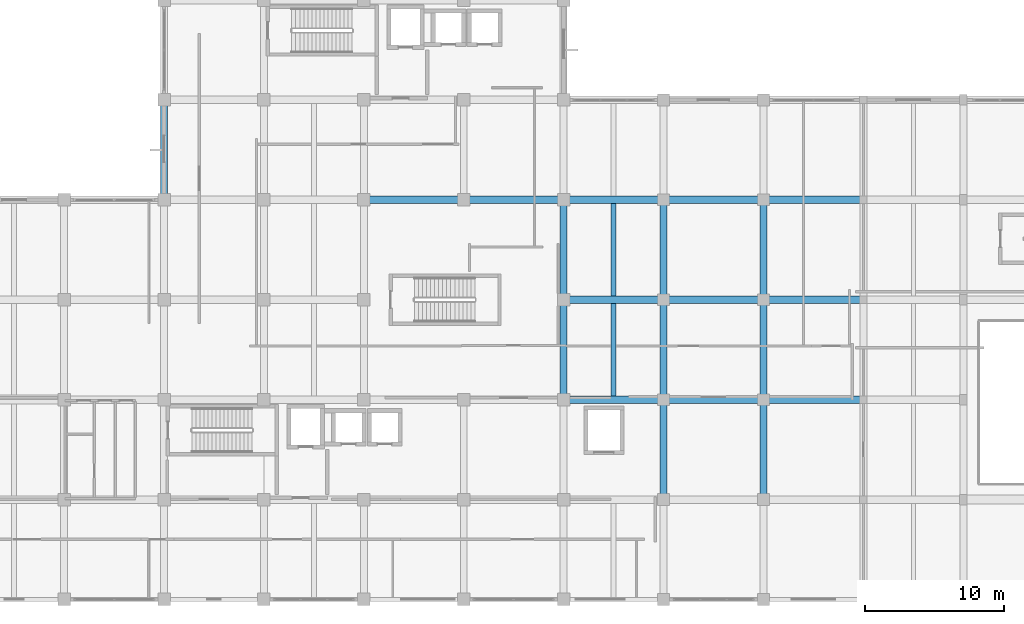
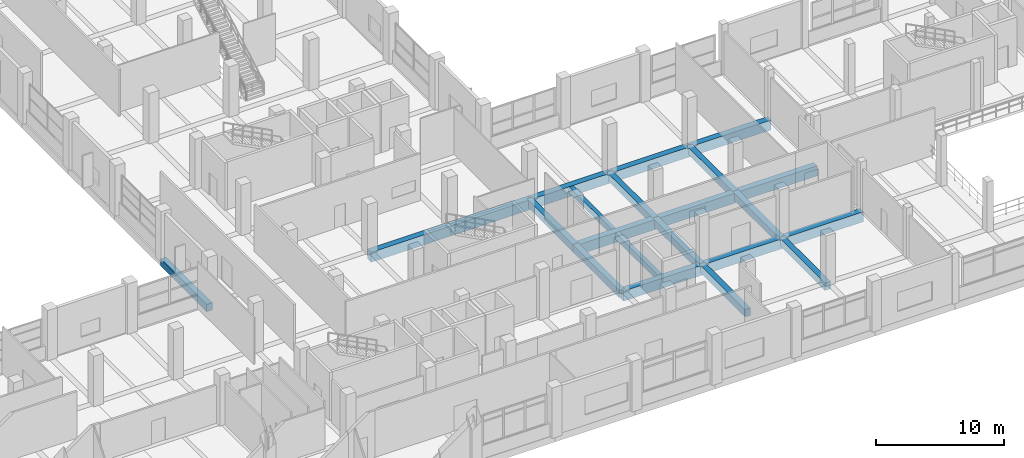
# One storey, part 46 of 181: 22 beams.
"""IFC4 building model written with IfcOpenShell, lengths in metres."""

from ifc_helpers import new_model, si_unit, direction, frame, origin, origin_2d, place, context, subcontext, project, spatial, rectangle, extrude, material, material_profile, profile_set, type_object, element, save


model = new_model("IFC4")

# Units and contexts
model_context = context("Model", 3, precision=1e-05, world=origin(), true_north=direction((0.0, 1.0)))
body_context = subcontext(model_context, "Body", "Model", "MODEL_VIEW")
ifc_project = project(units=[si_unit("LENGTHUNIT", "METRE"), si_unit("AREAUNIT", "SQUARE_METRE"), si_unit("VOLUMEUNIT", "CUBIC_METRE"), si_unit("PLANEANGLEUNIT", "RADIAN"), si_unit("MASSUNIT", "GRAM", prefix="KILO")], contexts=[model_context])

# Site, building, storey
site_placement = place(None, origin())
site = spatial("IfcSite", under=ifc_project, at=site_placement, CompositionType="ELEMENT")
building_placement = place(site_placement, origin())
building = spatial("IfcBuilding", under=site, at=building_placement, Name="Seraya Terrace Polytechnic", CompositionType="ELEMENT")
storey_placement = place(building_placement, frame((0.0, 0.0, 4.800048828125)))
storey = spatial("IfcBuildingStorey", under=building, at=storey_placement, Name="L01", CompositionType="ELEMENT", Elevation=4.800048828125)

# Beams
ifc_material = material(Name="Concrete C40/50", Category="concrete")
ifc_material_profile_1 = material_profile(ifc_material, rectangle(XDim=0.550048828125, YDim=0.949951171875, at=origin_2d()), Name="RC 550x950")
ifc_profile_set_1 = profile_set([ifc_material_profile_1], Name="Concrete C40/50")
beam_type_1 = type_object("IfcBeamType", Name="BM-03", PredefinedType="BEAM", material=ifc_profile_set_1)
for number, where, z_axis, x_axis, name in (
    (1, (108.0, 14.39990234375, -0.47509765625), (1.0, 0.0, 0.0), (0.0, 1.0, 0.0), "Beam BM-03 L01 X (108.0..115.2, 14.4)"),
    (2, (115.199951171875, 14.39990234375, -0.47509765625), (1.0, 0.0, 0.0), (0.0, 1.0, 0.0), "Beam BM-03 L01 X (115.2..122.4, 14.4)"),
):
    element("IfcBeam", number, at=place(storey_placement, frame(where, z_axis=z_axis, x_axis=x_axis)), inside=storey, type_object=beam_type_1, Name=name, PredefinedType="BEAM", context=body_context, shape_type="SweptSolid", body=[
        extrude(rectangle(XDim=0.550048828125, YDim=0.949951171875, at=origin_2d()), origin(), (0.0, 0.0, 1.0), 7.199951171875),
    ])
beam_1_placement = place(storey_placement, frame((122.39990234375, 14.39990234375, -0.47509765625), z_axis=(1.0, 0.0, 0.0), x_axis=(0.0, 1.0, 0.0)))
element("IfcBeam", 3, at=beam_1_placement, inside=storey, type_object=beam_type_1, Name="Beam BM-03 L01 X (122.4..129.6, 14.4)", PredefinedType="BEAM", context=body_context, shape_type="SweptSolid", body=[
    extrude(rectangle(XDim=0.550048828125, YDim=0.949951171875, at=origin_2d()), origin(), (0.0, 0.0, 1.0), 7.2001953125),
])
for number, where, z_axis, x_axis, name in (
    (4, (108.0, 21.60009765625, -0.47509765625), (1.0, 0.0, 0.0), (0.0, 1.0, 0.0), "Beam BM-03 L01 X (108.0..115.2, 21.6)"),
    (5, (115.199951171875, 21.60009765625, -0.47509765625), (1.0, 0.0, 0.0), (0.0, 1.0, 0.0), "Beam BM-03 L01 X (115.2..122.4, 21.6)"),
):
    element("IfcBeam", number, at=place(storey_placement, frame(where, z_axis=z_axis, x_axis=x_axis)), inside=storey, type_object=beam_type_1, Name=name, PredefinedType="BEAM", context=body_context, shape_type="SweptSolid", body=[
        extrude(rectangle(XDim=0.550048828125, YDim=0.949951171875, at=origin_2d()), origin(), (0.0, 0.0, 1.0), 7.199951171875),
    ])
beam_2_placement = place(storey_placement, frame((122.39990234375, 21.60009765625, -0.47509765625), z_axis=(1.0, 0.0, 0.0), x_axis=(0.0, 1.0, 0.0)))
element("IfcBeam", 6, at=beam_2_placement, inside=storey, type_object=beam_type_1, Name="Beam BM-03 L01 X (122.4..129.6, 21.6)", PredefinedType="BEAM", context=body_context, shape_type="SweptSolid", body=[
    extrude(rectangle(XDim=0.550048828125, YDim=0.949951171875, at=origin_2d()), origin(), (0.0, 0.0, 1.0), 7.2001953125),
])
for number, where, z_axis, x_axis, name in (
    (7, (93.60009765625, 28.800048828125, -0.47509765625), (1.0, 0.0, 0.0), (0.0, 1.0, 0.0), "Beam BM-03 L01 X (93.6..100.8, 28.8)"),
    (8, (100.800048828125, 28.800048828125, -0.47509765625), (1.0, 0.0, 0.0), (0.0, 1.0, 0.0), "Beam BM-03 L01 X (100.8..108.0, 28.8)"),
    (9, (108.0, 28.800048828125, -0.47509765625), (1.0, 0.0, 0.0), (0.0, 1.0, 0.0), "Beam BM-03 L01 X (108.0..115.2, 28.8)"),
    (10, (115.199951171875, 28.800048828125, -0.47509765625), (1.0, 0.0, 0.0), (0.0, 1.0, 0.0), "Beam BM-03 L01 X (115.2..122.4, 28.8)"),
):
    element("IfcBeam", number, at=place(storey_placement, frame(where, z_axis=z_axis, x_axis=x_axis)), inside=storey, type_object=beam_type_1, Name=name, PredefinedType="BEAM", context=body_context, shape_type="SweptSolid", body=[
        extrude(rectangle(XDim=0.550048828125, YDim=0.949951171875, at=origin_2d()), origin(), (0.0, 0.0, 1.0), 7.199951171875),
    ])
beam_3_placement = place(storey_placement, frame((122.39990234375, 28.800048828125, -0.47509765625), z_axis=(1.0, 0.0, 0.0), x_axis=(0.0, 1.0, 0.0)))
element("IfcBeam", 11, at=beam_3_placement, inside=storey, type_object=beam_type_1, Name="Beam BM-03 L01 X (122.4..129.6, 28.8)", PredefinedType="BEAM", context=body_context, shape_type="SweptSolid", body=[
    extrude(rectangle(XDim=0.550048828125, YDim=0.949951171875, at=origin_2d()), origin(), (0.0, 0.0, 1.0), 7.2001953125),
])
ifc_material_profile_2 = material_profile(ifc_material, rectangle(XDim=0.5, YDim=0.699951171875, at=origin_2d()), Name="RC 500x700")
ifc_profile_set_2 = profile_set([ifc_material_profile_2], Name="Concrete C40/50")
beam_type_2 = type_object("IfcBeamType", Name="BM-07", PredefinedType="BEAM", material=ifc_profile_set_2)
beam_4_placement = place(storey_placement, frame((79.199951171875, 28.800048828125, -0.35009765625), z_axis=(0.0, 1.0, 0.0), x_axis=(-1.0, 0.0, 0.0)))
element("IfcBeam", 12, at=beam_4_placement, inside=storey, type_object=beam_type_2, Name="Beam BM-07 L01 Y (79.2, 28.8..36.0)", PredefinedType="BEAM", context=body_context, shape_type="SweptSolid", body=[
    extrude(rectangle(XDim=0.5, YDim=0.699951171875, at=origin_2d()), origin(), (0.0, 0.0, 1.0), 7.199951171875),
])
beam_5_placement = place(storey_placement, frame((108.0, 14.39990234375, -0.35009765625), z_axis=(0.0, 1.0, 0.0), x_axis=(-1.0, 0.0, 0.0)))
element("IfcBeam", 13, at=beam_5_placement, inside=storey, type_object=beam_type_2, Name="Beam BM-07 L01 Y (108.0, 14.4..21.6)", PredefinedType="BEAM", context=body_context, shape_type="SweptSolid", body=[
    extrude(rectangle(XDim=0.5, YDim=0.699951171875, at=origin_2d()), origin(), (0.0, 0.0, 1.0), 7.2001953125),
])
for number, where, z_axis, x_axis, name in (
    (14, (108.0, 21.60009765625, -0.35009765625), (0.0, 1.0, 0.0), (-1.0, 0.0, 0.0), "Beam BM-07 L01 Y (108.0, 21.6..28.8)"),
    (15, (115.199951171875, 7.199951171875, -0.35009765625), (0.0, 1.0, 0.0), (-1.0, 0.0, 0.0), "Beam BM-07 L01 Y (115.2, 7.2..14.4)"),
):
    element("IfcBeam", number, at=place(storey_placement, frame(where, z_axis=z_axis, x_axis=x_axis)), inside=storey, type_object=beam_type_2, Name=name, PredefinedType="BEAM", context=body_context, shape_type="SweptSolid", body=[
        extrude(rectangle(XDim=0.5, YDim=0.699951171875, at=origin_2d()), origin(), (0.0, 0.0, 1.0), 7.199951171875),
    ])
beam_6_placement = place(storey_placement, frame((115.199951171875, 14.39990234375, -0.35009765625), z_axis=(0.0, 1.0, 0.0), x_axis=(-1.0, 0.0, 0.0)))
element("IfcBeam", 16, at=beam_6_placement, inside=storey, type_object=beam_type_2, Name="Beam BM-07 L01 Y (115.2, 14.4..21.6)", PredefinedType="BEAM", context=body_context, shape_type="SweptSolid", body=[
    extrude(rectangle(XDim=0.5, YDim=0.699951171875, at=origin_2d()), origin(), (0.0, 0.0, 1.0), 7.2001953125),
])
for number, where, z_axis, x_axis, name in (
    (17, (115.199951171875, 21.60009765625, -0.35009765625), (0.0, 1.0, 0.0), (-1.0, 0.0, 0.0), "Beam BM-07 L01 Y (115.2, 21.6..28.8)"),
    (18, (122.39990234375, 7.199951171875, -0.35009765625), (0.0, 1.0, 0.0), (-1.0, 0.0, 0.0), "Beam BM-07 L01 Y (122.4, 7.2..14.4)"),
):
    element("IfcBeam", number, at=place(storey_placement, frame(where, z_axis=z_axis, x_axis=x_axis)), inside=storey, type_object=beam_type_2, Name=name, PredefinedType="BEAM", context=body_context, shape_type="SweptSolid", body=[
        extrude(rectangle(XDim=0.5, YDim=0.699951171875, at=origin_2d()), origin(), (0.0, 0.0, 1.0), 7.199951171875),
    ])
beam_7_placement = place(storey_placement, frame((122.39990234375, 14.39990234375, -0.35009765625), z_axis=(0.0, 1.0, 0.0), x_axis=(-1.0, 0.0, 0.0)))
element("IfcBeam", 19, at=beam_7_placement, inside=storey, type_object=beam_type_2, Name="Beam BM-07 L01 Y (122.4, 14.4..21.6)", PredefinedType="BEAM", context=body_context, shape_type="SweptSolid", body=[
    extrude(rectangle(XDim=0.5, YDim=0.699951171875, at=origin_2d()), origin(), (0.0, 0.0, 1.0), 7.2001953125),
])
beam_8_placement = place(storey_placement, frame((122.39990234375, 21.60009765625, -0.35009765625), z_axis=(0.0, 1.0, 0.0), x_axis=(-1.0, 0.0, 0.0)))
element("IfcBeam", 20, at=beam_8_placement, inside=storey, type_object=beam_type_2, Name="Beam BM-07 L01 Y (122.4, 21.6..28.8)", PredefinedType="BEAM", context=body_context, shape_type="SweptSolid", body=[
    extrude(rectangle(XDim=0.5, YDim=0.699951171875, at=origin_2d()), origin(), (0.0, 0.0, 1.0), 7.199951171875),
])
ifc_material_profile_3 = material_profile(ifc_material, rectangle(XDim=0.35009765625, YDim=0.60009765625, at=origin_2d()), Name="RC 350x600")
ifc_profile_set_3 = profile_set([ifc_material_profile_3], Name="Concrete C40/50")
beam_type_3 = type_object("IfcBeamType", Name="JS-02", PredefinedType="JOIST", material=ifc_profile_set_3)
for number, where, z_axis, x_axis, name in (
    (21, (111.60009765625, 14.675048828125, -0.300048828125), (0.0, 1.0, 0.0), (-1.0, 0.0, 0.0), "Secondary joist JS-02 L01"),
    (22, (111.60009765625, 21.875, -0.300048828125), (0.0, 1.0, 0.0), (-1.0, 0.0, 0.0), "Secondary joist JS-02 L01"),
):
    element("IfcBeam", number, at=place(storey_placement, frame(where, z_axis=z_axis, x_axis=x_axis)), inside=storey, type_object=beam_type_3, Name=name, PredefinedType="JOIST", context=body_context, shape_type="SweptSolid", body=[
        extrude(rectangle(XDim=0.35009765625, YDim=0.60009765625, at=origin_2d()), origin(), (0.0, 0.0, 1.0), 6.64990234375),
    ])

save(model, "model.ifc")
